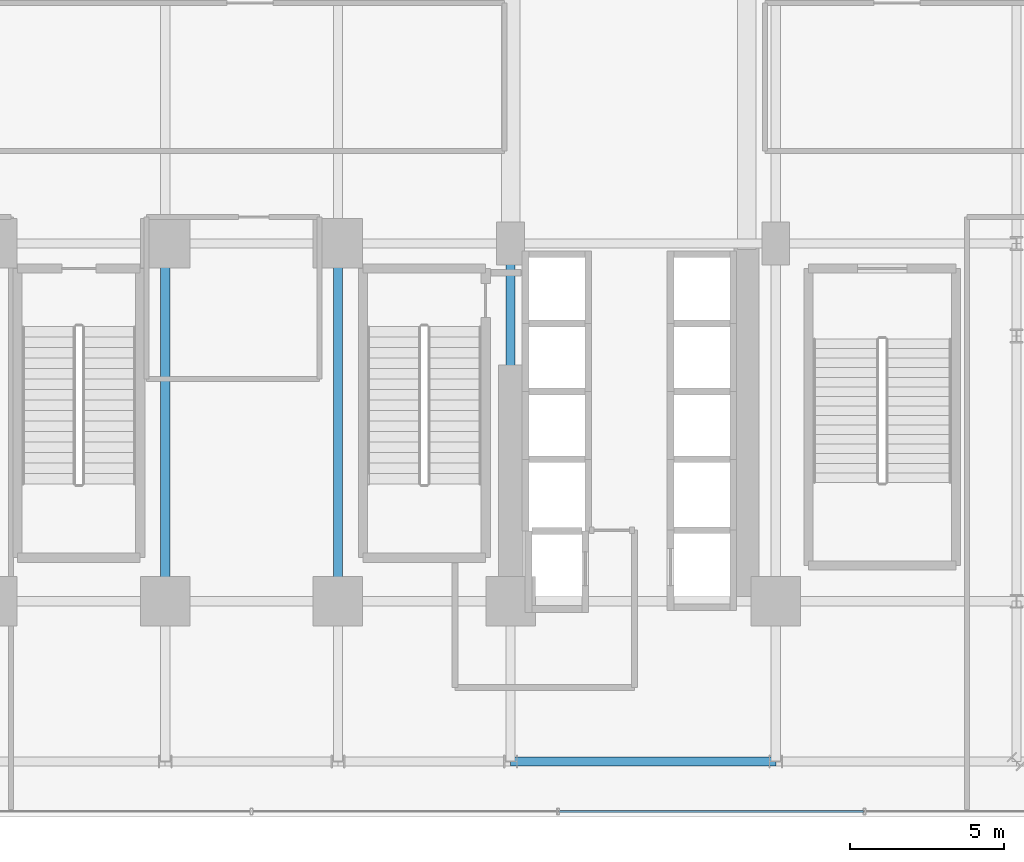
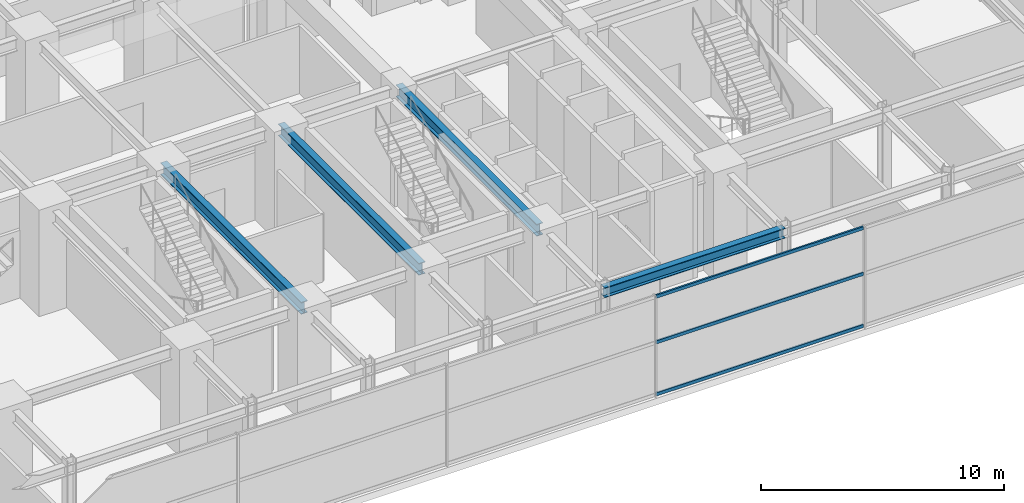
# One storey, part 10 of 34: 4 beams, 3 members, 1 element without a shape of its own.
"""IFC4 building model written with IfcOpenShell, lengths in metres."""

from ifc_helpers import new_model, si_unit, direction, frame, origin, origin_2d, place, context, subcontext, project, spatial, hollow_rectangle, i_section, extrude, source, transform, mapped, material, material_profile, profile_set, type_object, element, aggregate, save


model = new_model("IFC4")

# Units and contexts
model_context = context("Model", 3, precision=1e-05, world=origin(), true_north=direction((0.0, 1.0)))
body_context = subcontext(model_context, "Body", "Model", "MODEL_VIEW")
ifc_project = project(units=[si_unit("LENGTHUNIT", "METRE"), si_unit("AREAUNIT", "SQUARE_METRE"), si_unit("VOLUMEUNIT", "CUBIC_METRE"), si_unit("PLANEANGLEUNIT", "RADIAN"), si_unit("MASSUNIT", "GRAM", prefix="KILO")], contexts=[model_context])

# Site, building, storey
site_placement = place(None, origin())
site = spatial("IfcSite", under=ifc_project, at=site_placement, CompositionType="ELEMENT")
building_placement = place(site_placement, origin())
building = spatial("IfcBuilding", under=site, at=building_placement, Name="Nahalor Promenade Grand Hotel", CompositionType="ELEMENT")
storey_placement = place(building_placement, frame((0.0, 0.0, 16.199951171875)))
storey = spatial("IfcBuildingStorey", under=building, at=storey_placement, Name="L03", CompositionType="ELEMENT", Elevation=16.199951171875)

# Beams
ifc_material_1 = material(Name="Steel S355JR", Category="steel")
ifc_material_profile_1 = material_profile(ifc_material_1, i_section(OverallWidth=0.3, OverallDepth=0.6, WebThickness=0.0155, FlangeThickness=0.03, at=origin_2d()), Name="HEB 600")
ifc_profile_set_1 = profile_set([ifc_material_profile_1], Name="Steel S355JR")
beam_type_1 = type_object("IfcBeamType", Name="Beam-Girder-HEB600", PredefinedType="BEAM", material=ifc_profile_set_1)
shared_shape_1 = source(origin(), body_context, "Body", "SweptSolid", [
    extrude(i_section(OverallWidth=0.3, OverallDepth=0.6, WebThickness=0.0155, FlangeThickness=0.03, at=origin_2d()), origin(), (0.0, 0.0, 1.0), 11.60009765625),
])
for number, where, z_axis, x_axis, name in (
    (1, (-2.800048828125, -17.0, 4.780029296875), (0.0, 1.0, 0.0), (-1.0, 0.0, 0.0), "BM-L03-GY-2-1"),
    (2, (2.800048828125, -17.0, 4.780029296875), (0.0, 1.0, 0.0), (-1.0, 0.0, 0.0), "BM-L03-GY-3-1"),
    (3, (8.39990234375, -17.0, 4.780029296875), (0.0, 1.0, 0.0), (-1.0, 0.0, 0.0), "BM-L03-GY-4-1"),
):
    element("IfcBeam", number, at=place(storey_placement, frame(where, z_axis=z_axis, x_axis=x_axis)), inside=storey, type_object=beam_type_1, Name=name, PredefinedType="BEAM", context=body_context, shape_type="MappedRepresentation", body=[
        mapped(shared_shape_1, transform((0.0, 0.0, 0.0), scale=1.0)),
    ])
ifc_material_profile_2 = material_profile(ifc_material_1, i_section(OverallWidth=0.3, OverallDepth=0.5, WebThickness=0.0145, FlangeThickness=0.028, at=origin_2d()), Name="HEB 500")
ifc_profile_set_2 = profile_set([ifc_material_profile_2], Name="Steel S355JR")
beam_type_2 = type_object("IfcBeamType", Name="Beam-Spandrel-HEB500", PredefinedType="SPANDREL", material=ifc_profile_set_2)
shared_shape_2 = source(origin(), body_context, "Body", "SweptSolid", [
    extrude(i_section(OverallWidth=0.3, OverallDepth=0.5, WebThickness=0.0145, FlangeThickness=0.028, at=origin_2d()), origin(), (0.0, 0.0, 1.0), 8.60009765625),
])
beam_placement = place(storey_placement, frame((8.39990234375, -22.199951171875, 4.830078125), z_axis=(1.0, 0.0, 0.0), x_axis=(0.0, 1.0, 0.0)))
element("IfcBeam", 4, at=beam_placement, inside=storey, type_object=beam_type_2, Name="BM-L03-SP-S-4", PredefinedType="SPANDREL", context=body_context, shape_type="MappedRepresentation", body=[
    mapped(shared_shape_2, transform((0.0, 0.0, 0.0), scale=1.0)),
])

# Curtain wall, members
ifc_material_2 = material(Name="Anodised Bronze Aluminium EN AW-6063 T6", Category="aluminium")
curtain_wall_type = type_object("IfcCurtainWallType", Name="CW1 Waterfront Podium Bronze Arcade Curtain Wall", PredefinedType="USERDEFINED", material=ifc_material_2)
curtain_wall_placement = place(storey_placement, origin())
curtain_wall = element("IfcCurtainWall", 5, at=curtain_wall_placement, inside=storey, type_object=curtain_wall_type, Name="L03 Curtain Wall CW-L03-S", ObjectType="UNITISED_CURTAIN_WALL", PredefinedType="USERDEFINED")
ifc_material_profile_3 = material_profile(ifc_material_2, hollow_rectangle(XDim=0.08, YDim=0.16, WallThickness=0.004, at=origin_2d()), Name="CWT 80x160x4")
ifc_profile_set_3 = profile_set([ifc_material_profile_3], Name="Anodised Bronze Aluminium EN AW-6063 T6")
member_type = type_object("IfcMemberType", Name="CWT1 Podium Bronze Transom 80x160", PredefinedType="USERDEFINED", material=ifc_profile_set_3)
shared_shape_3 = source(origin(), body_context, "Body", "SweptSolid", [
    extrude(hollow_rectangle(XDim=0.08, YDim=0.16, WallThickness=0.004, at=origin_2d()), origin(), (0.0, 0.0, 1.0), 9.860107421875),
])
member_1_placement = place(storey_placement, frame((9.97998046875, -23.820068359375, 0.080078125), z_axis=(1.0, 0.0, 0.0), x_axis=(0.0, 1.0, 0.0)))
member_1 = element("IfcMember", 6, at=member_1_placement, type_object=member_type, Name="CW-L03-S Transom 4-0", ObjectType="TRANSOM", PredefinedType="USERDEFINED", context=body_context, shape_type="MappedRepresentation", body=[
    mapped(shared_shape_3, transform((0.0, 0.0, 0.0), scale=1.0)),
])
member_2_placement = place(storey_placement, frame((9.97998046875, -23.820068359375, 2.699951171875), z_axis=(1.0, 0.0, 0.0), x_axis=(0.0, 1.0, 0.0)))
member_2 = element("IfcMember", 7, at=member_2_placement, type_object=member_type, Name="CW-L03-S Transom 4-1", ObjectType="TRANSOM", PredefinedType="USERDEFINED", context=body_context, shape_type="MappedRepresentation", body=[
    mapped(shared_shape_3, transform((0.0, 0.0, 0.0), scale=1.0)),
])
member_3_placement = place(storey_placement, frame((9.97998046875, -23.820068359375, 5.0), z_axis=(1.0, 0.0, 0.0), x_axis=(0.0, 1.0, 0.0)))
member_3 = element("IfcMember", 8, at=member_3_placement, type_object=member_type, Name="CW-L03-S Transom 4-2", ObjectType="TRANSOM", PredefinedType="USERDEFINED", context=body_context, shape_type="MappedRepresentation", body=[
    mapped(shared_shape_3, transform((0.0, 0.0, 0.0), scale=1.0)),
])
aggregate(curtain_wall, [member_1, member_2, member_3])

save(model, "model.ifc")
